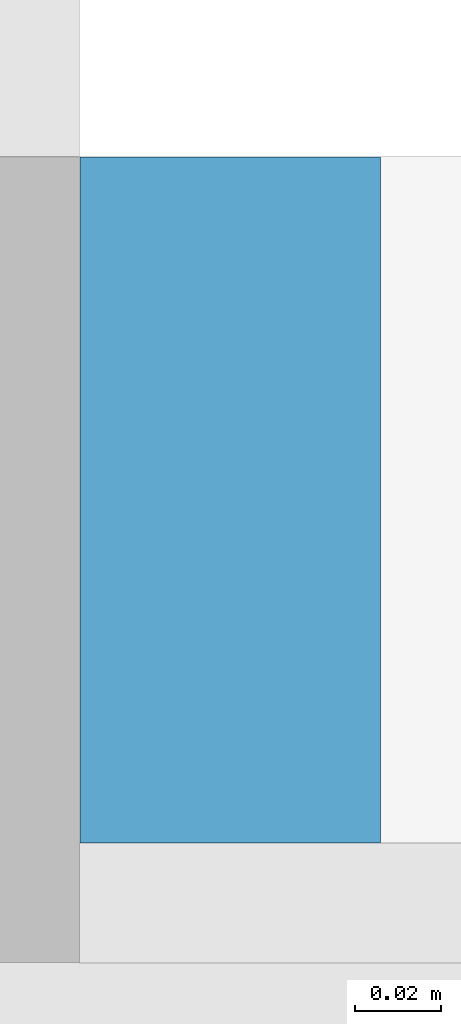
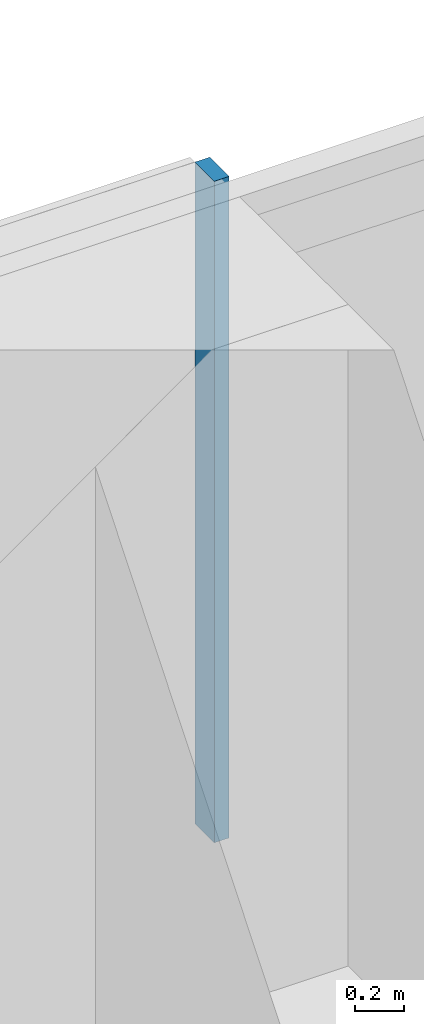
# One storey, part 10 of 27: 1 member, 1 element without a shape of its own.
"""IFC4 building model written with IfcOpenShell, lengths in metres."""

from ifc_helpers import new_model, si_unit, direction, frame, origin, origin_2d, place, context, subcontext, project, spatial, rectangle, extrude, material, material_profile, profile_set, type_object, element, aggregate, save


model = new_model("IFC4")

# Units and contexts
model_context = context("Model", 3, precision=1e-05, world=origin(), true_north=direction((0.0, 1.0)))
body_context = subcontext(model_context, "Body", "Model", "MODEL_VIEW")
ifc_project = project(units=[si_unit("LENGTHUNIT", "METRE"), si_unit("AREAUNIT", "SQUARE_METRE"), si_unit("VOLUMEUNIT", "CUBIC_METRE"), si_unit("PLANEANGLEUNIT", "RADIAN"), si_unit("MASSUNIT", "GRAM", prefix="KILO")], contexts=[model_context])

# Site, building, storey
site_placement = place(None, origin())
site = spatial("IfcSite", under=ifc_project, at=site_placement, CompositionType="ELEMENT")
building_placement = place(site_placement, origin())
building = spatial("IfcBuilding", under=site, at=building_placement, Name="Saffron Gate Tower", CompositionType="ELEMENT")
storey_placement = place(building_placement, frame((0.0, 0.0, 44.39990234375)))
storey = spatial("IfcBuildingStorey", under=building, at=storey_placement, Name="L09", CompositionType="ELEMENT", Elevation=44.39990234375)

# Curtain wall, member
ifc_material = material(Name="Aluminium, bronze anodised", Category="aluminium")
curtain_wall_type = type_object("IfcCurtainWallType", Name="CWS3 curtain wall rear facade", PredefinedType="NOTDEFINED", material=ifc_material)
curtain_wall_placement = place(storey_placement, origin())
curtain_wall = element("IfcCurtainWall", 1, at=curtain_wall_placement, inside=storey, type_object=curtain_wall_type, Name="CWS3 run 7", PredefinedType="NOTDEFINED")
ifc_material_profile = material_profile(ifc_material, rectangle(XDim=0.159912109375, YDim=0.070068359375, at=origin_2d()))
ifc_profile_set = profile_set([ifc_material_profile], Name="Aluminium, bronze anodised")
member_type = type_object("IfcMemberType", Name="CWS3 mullion 70x160", PredefinedType="MULLION", material=ifc_profile_set)
member_placement = place(storey_placement, frame((108.60009765625, 75.52001953125, 0.0), z_axis=(0.0, 0.0, 1.0), x_axis=(0.0, -1.0, 0.0)))
member = element("IfcMember", 2, at=member_placement, type_object=member_type, Name="CWS3 mullion 3", PredefinedType="MULLION", context=body_context, shape_type="SweptSolid", body=[
    extrude(rectangle(XDim=0.159912109375, YDim=0.070068359375, at=origin_2d()), origin(), (0.0, 0.0, 1.0), 3.320068359375),
])
aggregate(curtain_wall, [member])

save(model, "model.ifc")
